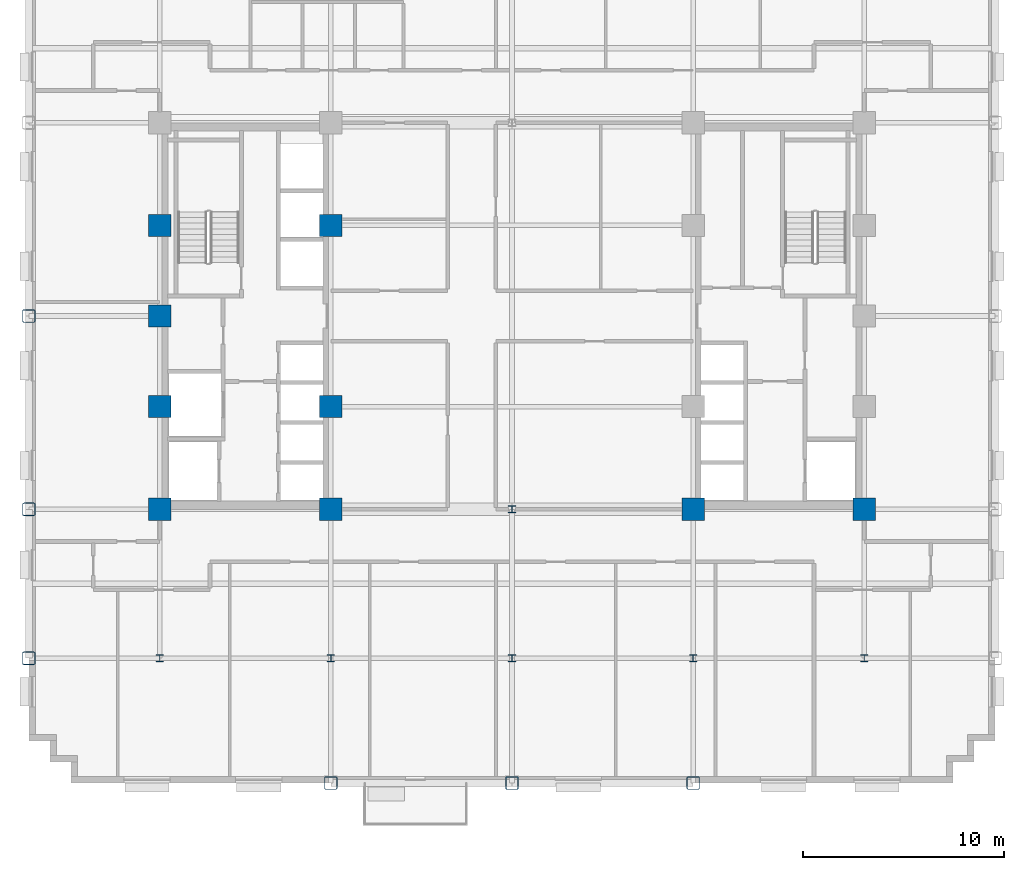
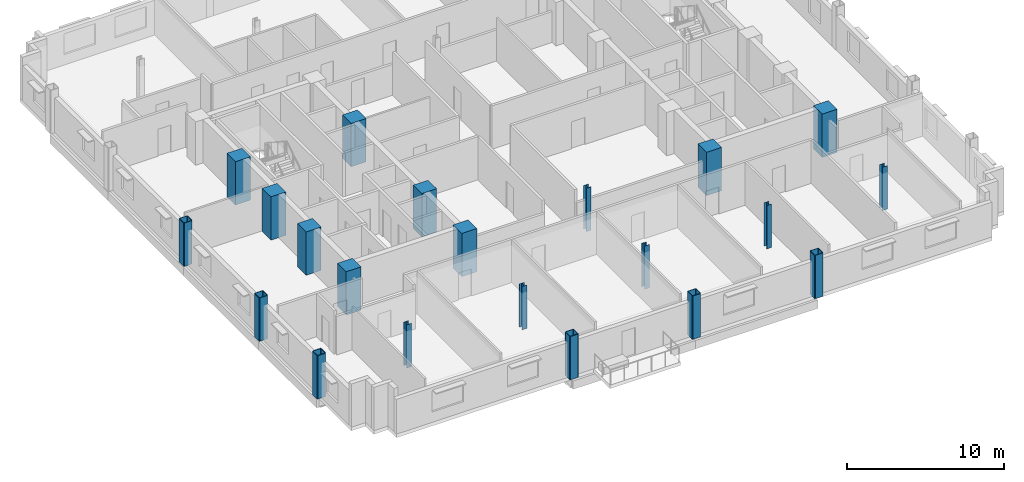
# One storey, part 1 of 14: 21 columns.
"""IFC4 building model written with IfcOpenShell, lengths in metres."""

from ifc_helpers import new_model, si_unit, direction, frame, origin, origin_2d, place, context, subcontext, project, spatial, rectangle, hollow_rectangle, i_section, extrude, material, material_profile, profile_set, type_object, element, save


model = new_model("IFC4")

# Units and contexts
model_context = context("Model", 3, precision=1e-05, world=origin(), true_north=direction((0.0, 1.0)))
body_context = subcontext(model_context, "Body", "Model", "MODEL_VIEW")
ifc_project = project(units=[si_unit("LENGTHUNIT", "METRE"), si_unit("AREAUNIT", "SQUARE_METRE"), si_unit("VOLUMEUNIT", "CUBIC_METRE"), si_unit("PLANEANGLEUNIT", "RADIAN"), si_unit("MASSUNIT", "GRAM", prefix="KILO")], contexts=[model_context])

# Site, building, storey
site_placement = place(None, origin())
site = spatial("IfcSite", under=ifc_project, at=site_placement, CompositionType="ELEMENT")
building_placement = place(site_placement, origin())
building = spatial("IfcBuilding", under=site, at=building_placement, Name="Nuvemarco Arch Tower", CompositionType="ELEMENT")
storey_placement = place(building_placement, frame((0.0, 0.0, 105.60009765625)))
storey = spatial("IfcBuildingStorey", under=building, at=storey_placement, Name="L27", CompositionType="ELEMENT", Elevation=105.60009765625)

# Columns
ifc_material_1 = material(Name="Concrete C60/75", Category="concrete")
ifc_material_profile_1 = material_profile(ifc_material_1, rectangle(XDim=1.10009765625, YDim=1.10009765625, at=origin_2d()), Name="RC-COL-1100x1100")
ifc_profile_set_1 = profile_set([ifc_material_profile_1], Name="Concrete C60/75")
column_type_1 = type_object("IfcColumnType", Name="COL-CORE-1100", PredefinedType="COLUMN", material=ifc_profile_set_1)
for number, where, z_axis, x_axis, name in (
    (1, (-17.5, -9.60009765625, 0.0), (0.0, 0.0, 1.0), (1.0, 0.0, 0.0), "L27 column CC_-17.5_-9.6"),
    (2, (-17.5, -4.5, 0.0), (0.0, 0.0, 1.0), (1.0, 0.0, 0.0), "L27 column CC_-17.5_-4.5"),
    (3, (-17.5, 4.5, 0.0), (0.0, 0.0, 1.0), (1.0, 0.0, 0.0), "L27 column CC_-17.5_+4.5"),
    (4, (-9.0, -9.60009765625, 0.0), (0.0, 0.0, 1.0), (1.0, 0.0, 0.0), "L27 column CC_-9.0_-9.6"),
    (5, (-9.0, -4.5, 0.0), (0.0, 0.0, 1.0), (1.0, 0.0, 0.0), "L27 column CC_-9.0_-4.5"),
    (6, (-9.0, 4.5, 0.0), (0.0, 0.0, 1.0), (1.0, 0.0, 0.0), "L27 column CC_-9.0_+4.5"),
    (7, (9.0, -9.60009765625, 0.0), (0.0, 0.0, 1.0), (1.0, 0.0, 0.0), "L27 column CC_+9.0_-9.6"),
    (8, (17.5, -9.60009765625, 0.0), (0.0, 0.0, 1.0), (1.0, 0.0, 0.0), "L27 column CC_+17.5_-9.6"),
    (9, (-17.5, 0.0, 0.0), (0.0, 0.0, 1.0), (1.0, 0.0, 0.0), "L27 column CC_-17.5_+0.0"),
):
    element("IfcColumn", number, at=place(storey_placement, frame(where, z_axis=z_axis, x_axis=x_axis)), inside=storey, type_object=column_type_1, Name=name, PredefinedType="COLUMN", context=body_context, shape_type="SweptSolid", body=[
        extrude(rectangle(XDim=1.10009765625, YDim=1.10009765625, at=origin_2d()), origin(), (0.0, 0.0, 1.0), 3.369873046875),
    ])
ifc_material_2 = material(Name="Steel S355", Category="steel")
ifc_material_profile_2 = material_profile(ifc_material_2, hollow_rectangle(XDim=0.64990234375, YDim=0.64990234375, WallThickness=0.0400390625, InnerFilletRadius=0.0400390625, OuterFilletRadius=0.080078125, at=origin_2d()), Name="SHS650x650x40")
ifc_profile_set_2 = profile_set([ifc_material_profile_2], Name="Steel S355")
column_type_2 = type_object("IfcColumnType", Name="COL-EXO-650", PredefinedType="COLUMN", material=ifc_profile_set_2)
for number, where, z_axis, x_axis, name in (
    (10, (-24.0, -17.0, 0.0), (0.0, 0.0, 1.0), (1.0, 0.0, 0.0), "L27 column CX_-24.0_-17.0"),
    (11, (-24.0, -9.60009765625, 0.0), (0.0, 0.0, 1.0), (1.0, 0.0, 0.0), "L27 column CX_-24.0_-9.6"),
    (12, (-24.0, 0.0, 0.0), (0.0, 0.0, 1.0), (1.0, 0.0, 0.0), "L27 column CX_-24.0_+0.0"),
    (13, (-9.0, -23.199951171875, 0.0), (0.0, 0.0, 1.0), (1.0, 0.0, 0.0), "L27 column CY_-9.0_-23.2"),
    (14, (0.0, -23.199951171875, 0.0), (0.0, 0.0, 1.0), (1.0, 0.0, 0.0), "L27 column CY_+0.0_-23.2"),
    (15, (9.0, -23.199951171875, 0.0), (0.0, 0.0, 1.0), (1.0, 0.0, 0.0), "L27 column CY_+9.0_-23.2"),
):
    element("IfcColumn", number, at=place(storey_placement, frame(where, z_axis=z_axis, x_axis=x_axis)), inside=storey, type_object=column_type_2, Name=name, PredefinedType="COLUMN", context=body_context, shape_type="SweptSolid", body=[
        extrude(hollow_rectangle(XDim=0.64990234375, YDim=0.64990234375, WallThickness=0.0400390625, InnerFilletRadius=0.0400390625, OuterFilletRadius=0.080078125, at=origin_2d()), origin(), (0.0, 0.0, 1.0), 3.369873046875),
    ])
ifc_material_profile_3 = material_profile(ifc_material_2, i_section(OverallWidth=0.360107421875, OverallDepth=0.360107421875, WebThickness=0.0205078125, FlangeThickness=0.0205078125, FilletRadius=0.01806640625, at=origin_2d()), Name="HP360x174")
ifc_profile_set_3 = profile_set([ifc_material_profile_3], Name="Steel S355")
column_type_3 = type_object("IfcColumnType", Name="COL-STL-HP360", PredefinedType="COLUMN", material=ifc_profile_set_3)
for number, where, z_axis, x_axis, name in (
    (16, (0.0, -17.0, 0.0), (0.0, 0.0, 1.0), (1.0, 0.0, 0.0), "L27 column CI_+0.0_-17.0"),
    (17, (0.0, -9.60009765625, 0.0), (0.0, 0.0, 1.0), (1.0, 0.0, 0.0), "L27 column CI_+0.0_-9.6"),
    (18, (-17.5, -17.0, 0.0), (0.0, 0.0, 1.0), (1.0, 0.0, 0.0), "L27 column CI_-17.5_-17.0"),
    (19, (-9.0, -17.0, 0.0), (0.0, 0.0, 1.0), (1.0, 0.0, 0.0), "L27 column CI_-9.0_-17.0"),
    (20, (9.0, -17.0, 0.0), (0.0, 0.0, 1.0), (1.0, 0.0, 0.0), "L27 column CI_+9.0_-17.0"),
    (21, (17.5, -17.0, 0.0), (0.0, 0.0, 1.0), (1.0, 0.0, 0.0), "L27 column CI_+17.5_-17.0"),
):
    element("IfcColumn", number, at=place(storey_placement, frame(where, z_axis=z_axis, x_axis=x_axis)), inside=storey, type_object=column_type_3, Name=name, PredefinedType="COLUMN", context=body_context, shape_type="SweptSolid", body=[
        extrude(i_section(OverallWidth=0.360107421875, OverallDepth=0.360107421875, WebThickness=0.0205078125, FlangeThickness=0.0205078125, FilletRadius=0.01806640625, at=origin_2d()), origin(), (0.0, 0.0, 1.0), 3.369873046875),
    ])

save(model, "model.ifc")
